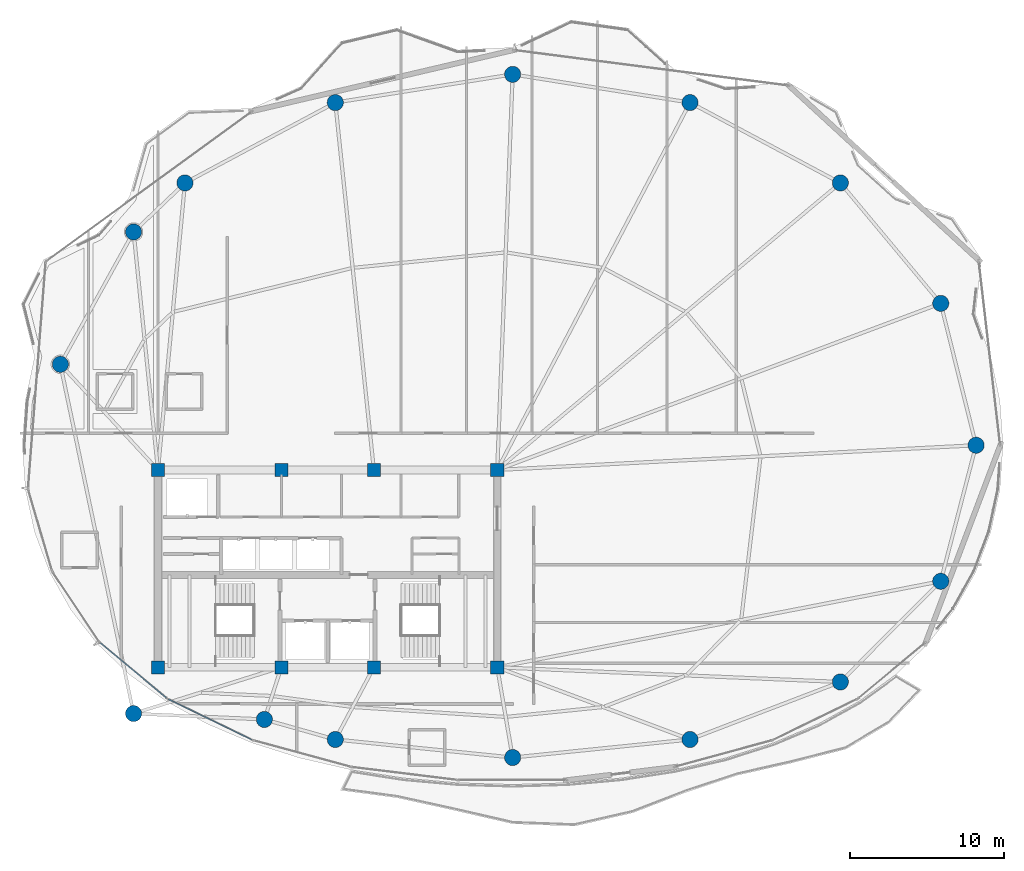
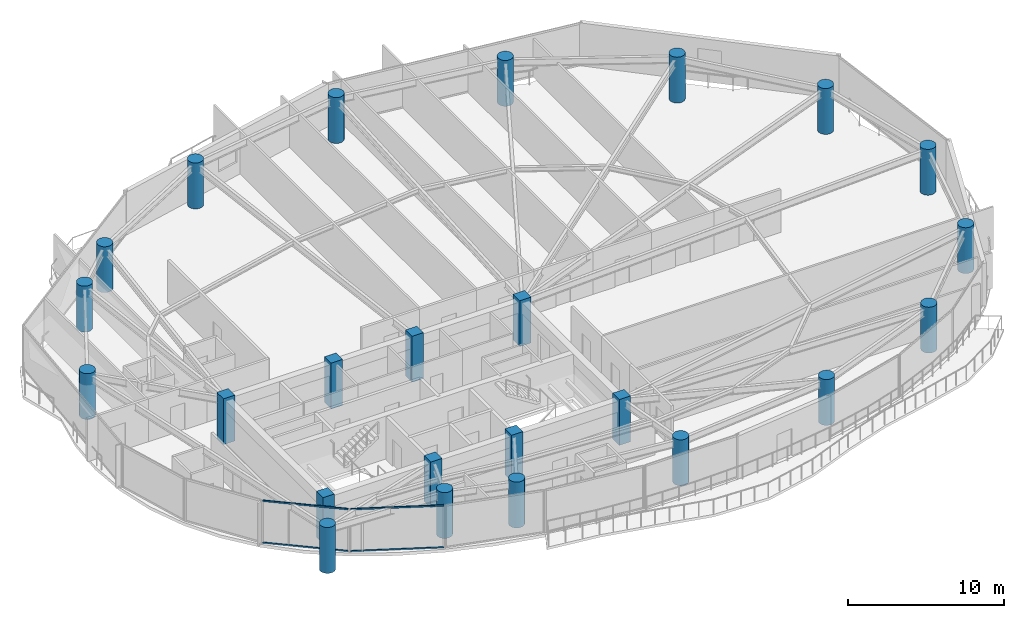
# One storey, part 1 of 31: 24 columns, 4 members, 2 elements without a shape of their own.
"""IFC4 building model written with IfcOpenShell, lengths in metres."""

import ifcopenshell
import ifcopenshell.guid

model = None  # the IFC model being written
_history = None  # IfcOwnerHistory: only IFC2X3 demands one
_inside = {}  # id of a spatial element -> (the spatial element, [elements in it])
_under = {}  # id of a project, library or spatial element -> (it, [spatial elements below it])
_declared = {}  # id of a project -> (the project, [libraries it declares])
_typed = {}  # id of a type object -> (the type object, [elements of that type])
_made_of = {}  # id of a material, layer set ... -> (it, [elements and type objects made of it])


def new_model(schema):
    """Start an empty IFC model of exactly this schema.

    Asked for "IFC4X3", IfcOpenShell would pick the latest addendum, in which some entities
    have other attributes; the version numbers below select the first issue.
    IFC2X3 requires an IfcOwnerHistory on every rooted entity: one is made here for all.
    """
    global model, _history
    if schema == "IFC4X3":
        model = ifcopenshell.file(schema_version=(4, 3, 0, 0))
    else:
        model = ifcopenshell.file(schema=schema)
    _inside.clear()
    _under.clear()
    _declared.clear()
    _typed.clear()
    _made_of.clear()
    _history = None
    if model.schema == "IFC2X3":
        org = make("IfcOrganization", Name="unknown")
        user = make(
            "IfcPersonAndOrganization",
            ThePerson=make("IfcPerson", FamilyName="unknown"),
            TheOrganization=org,
        )
        app = make(
            "IfcApplication",
            ApplicationDeveloper=org,
            Version="unknown",
            ApplicationFullName="unknown",
            ApplicationIdentifier="unknown",
        )
        _history = make(
            "IfcOwnerHistory",
            OwningUser=user,
            OwningApplication=app,
            ChangeAction="ADDED",
            CreationDate=0,
        )
    return model


def make(cls, **values):
    """One entity of the class cls with the attributes given. An attribute that is None is left unset."""
    return model.create_entity(
        cls, **{name: value for name, value in values.items() if value is not None}
    )


def rooted(cls, **values):
    """An entity with a GlobalId (a new one), such as an element, a storey or a relation."""
    return make(cls, GlobalId=ifcopenshell.guid.new(), OwnerHistory=_history, **values)


def si_unit(unit_type, name, prefix=None):
    """IfcSIUnit, for example si_unit("LENGTHUNIT", "METRE", prefix="MILLI")."""
    return make("IfcSIUnit", UnitType=unit_type, Prefix=prefix, Name=name)


def assignment(units):
    """IfcUnitAssignment: the units of a project."""
    return None if units is None else make("IfcUnitAssignment", Units=units)


def point(xyz):
    """IfcCartesianPoint."""
    return None if xyz is None else make("IfcCartesianPoint", Coordinates=xyz)


def direction(xyz):
    """IfcDirection."""
    return None if xyz is None else make("IfcDirection", DirectionRatios=xyz)


def frame(location, z_axis=None, x_axis=None):
    """IfcAxis2Placement3D, a coordinate frame: its origin and axes. An axis left out is left unset."""
    return make(
        "IfcAxis2Placement3D",
        Location=point(location),
        Axis=direction(z_axis),
        RefDirection=direction(x_axis),
    )


def frame_2d(location, x_axis=None):
    """IfcAxis2Placement2D, a coordinate frame in the plane: its origin and x axis."""
    return make(
        "IfcAxis2Placement2D", Location=point(location), RefDirection=direction(x_axis)
    )


def origin():
    """The frame at (0, 0, 0) with its axes left unset."""
    return frame((0.0, 0.0, 0.0))


def origin_2d():
    """The frame at (0, 0) in the plane with its x axis left unset."""
    return frame_2d((0.0, 0.0))


def place(relative_to, where):
    """IfcLocalPlacement: puts the frame where relative to a parent placement (None: the world)."""
    return make(
        "IfcLocalPlacement", PlacementRelTo=relative_to, RelativePlacement=where
    )


def context(
    kind, dimensions, precision=None, world=None, true_north=None, identifier=None
):
    """IfcGeometricRepresentationContext, for example the 3D "Model" context."""
    return make(
        "IfcGeometricRepresentationContext",
        ContextIdentifier=identifier,
        ContextType=kind,
        CoordinateSpaceDimension=dimensions,
        Precision=precision,
        WorldCoordinateSystem=world,
        TrueNorth=true_north,
    )


def subcontext(parent, identifier, kind, view, scale=None):
    """IfcGeometricRepresentationSubContext, for example "Body" below "Model"."""
    return make(
        "IfcGeometricRepresentationSubContext",
        ContextIdentifier=identifier,
        ContextType=kind,
        ParentContext=parent,
        TargetScale=scale,
        TargetView=view,
    )


def project(units=None, contexts=None):
    """IfcProject with its units and contexts."""
    return rooted(
        "IfcProject",
        Name="project",
        RepresentationContexts=contexts,
        UnitsInContext=assignment(units),
    )


def spatial(cls, under=None, at=None, **own):
    """A site, building, storey or space (cls), placed at a placement, below another one or the project."""
    s = rooted(cls, ObjectPlacement=at, **own)
    if under is not None:
        _under.setdefault(under.id(), (under, []))[1].append(s)
    return s


def profile(cls, at=None, kind="AREA", **sizes):
    """A parametric profile (cls). Its sizes go by their IFC names, for example OverallWidth=200.0."""
    return make(cls, ProfileType=kind, Position=at, **sizes)


def rectangle(**sizes):
    """IfcRectangleProfileDef."""
    return profile("IfcRectangleProfileDef", **sizes)


def hollow_rectangle(**sizes):
    """IfcRectangleHollowProfileDef."""
    return profile("IfcRectangleHollowProfileDef", **sizes)


def circle(**sizes):
    """IfcCircleProfileDef."""
    return profile("IfcCircleProfileDef", **sizes)


def extrude(swept, where, along, depth):
    """IfcExtrudedAreaSolid: the profile swept, set in the frame where, extruded along a direction by depth."""
    return make(
        "IfcExtrudedAreaSolid",
        SweptArea=swept,
        Position=where,
        ExtrudedDirection=direction(along),
        Depth=depth,
    )


def shape(context_of_items, identifier, shape_type, items):
    """IfcShapeRepresentation: the items that make up one representation, for example the "Body"."""
    return make(
        "IfcShapeRepresentation",
        ContextOfItems=context_of_items,
        RepresentationIdentifier=identifier,
        RepresentationType=shape_type,
        Items=items,
    )


def material(Name=None, Category=None):
    """IfcMaterial."""
    return make("IfcMaterial", Name=Name, Category=Category)


def layer(
    of_material, thickness, ventilated=None, Name=None, Category=None, Priority=None
):
    """IfcMaterialLayer: one layer of a wall or slab, of a material (None: an air gap)."""
    return make(
        "IfcMaterialLayer",
        Material=of_material,
        LayerThickness=thickness,
        IsVentilated=ventilated,
        Name=Name,
        Category=Category,
        Priority=Priority,
    )


def layer_set(layers, Name=None):
    """IfcMaterialLayerSet."""
    return make("IfcMaterialLayerSet", MaterialLayers=layers, LayerSetName=Name)


def material_profile(
    of_material, cross_section, Name=None, Category=None, Priority=None
):
    """IfcMaterialProfile: a cross section and its material."""
    return make(
        "IfcMaterialProfile",
        Name=Name,
        Material=of_material,
        Profile=cross_section,
        Priority=Priority,
        Category=Category,
    )


def profile_set(profiles, Name=None, composite=None):
    """IfcMaterialProfileSet."""
    return make(
        "IfcMaterialProfileSet",
        Name=Name,
        MaterialProfiles=profiles,
        CompositeProfile=composite,
    )


def made_of(thing, what):
    """Note that an element or type object is made of a material, layer set ...; save() writes the relation."""
    if what is not None:
        _made_of.setdefault(what.id(), (what, []))[1].append(thing)
    return thing


def type_object(cls, material=None, **own):
    """A type object (cls), such as IfcWallType, which elements share."""
    return made_of(rooted(cls, **own), material)


def element(
    cls,
    number,
    at=None,
    inside=None,
    cuts=None,
    type_object=None,
    material=None,
    context=None,
    identifier="Body",
    shape_type=None,
    held_by="IfcProductDefinitionShape",
    body=None,
    shapes=None,
    **own,
):
    """One element of the class cls, such as IfcWall. Its Tag is "e" and its number.

    at: its placement. inside: the storey or other place that contains it. cuts: it is an
    opening in that element (IfcRelVoidsElement). A single representation is given by context,
    identifier, shape_type and body (its items); several are given by shapes. held_by: the class
    of the entity that holds the representations. save() writes the other relations.
    """
    e = rooted(cls, Tag="e%d" % number, ObjectPlacement=at, **own)
    if body is not None:
        shapes = [shape(context, identifier, shape_type, body)]
    if shapes is not None:
        e.Representation = make(held_by, Representations=shapes)
    if inside is not None:
        _inside.setdefault(inside.id(), (inside, []))[1].append(e)
    if cuts is not None:
        rooted(
            "IfcRelVoidsElement", RelatingBuildingElement=cuts, RelatedOpeningElement=e
        )
    if type_object is not None:
        _typed.setdefault(type_object.id(), (type_object, []))[1].append(e)
    return made_of(e, material)


def aggregate(whole, parts):
    """IfcRelAggregates: a whole, such as a stair, and the parts it consists of."""
    return rooted("IfcRelAggregates", RelatingObject=whole, RelatedObjects=parts)


def save(model, path):
    """Write the relations noted so far, then the file.

    IfcRelAggregates (storeys below a building ...), IfcRelContainedInSpatialStructure (elements
    in a storey), IfcRelDefinesByType, IfcRelAssociatesMaterial and IfcRelDeclares: one each for
    every whole, place, type object, material and project.
    """
    for whole, parts in _under.values():
        aggregate(whole, parts)
    for where, things in _inside.values():
        rooted(
            "IfcRelContainedInSpatialStructure",
            RelatedElements=things,
            RelatingStructure=where,
        )
    for kind, things in _typed.values():
        rooted("IfcRelDefinesByType", RelatedObjects=things, RelatingType=kind)
    for what, things in _made_of.values():
        rooted("IfcRelAssociatesMaterial", RelatedObjects=things, RelatingMaterial=what)
    for by, libraries in _declared.values():
        rooted("IfcRelDeclares", RelatingContext=by, RelatedDefinitions=libraries)
    model.write(path)


model = new_model("IFC4")

# Units and contexts
model_context = context("Model", 3, precision=1e-05, world=origin(), true_north=direction((0.0, 1.0)))
body_context = subcontext(model_context, "Body", "Model", "MODEL_VIEW")
ifc_project = project(units=[si_unit("LENGTHUNIT", "METRE"), si_unit("AREAUNIT", "SQUARE_METRE"), si_unit("VOLUMEUNIT", "CUBIC_METRE"), si_unit("PLANEANGLEUNIT", "RADIAN"), si_unit("MASSUNIT", "GRAM", prefix="KILO")], contexts=[model_context])

# Site, building, storey
site_placement = place(None, origin())
site = spatial("IfcSite", under=ifc_project, at=site_placement, CompositionType="ELEMENT")
building_placement = place(site_placement, origin())
building = spatial("IfcBuilding", under=site, at=building_placement, Name="Kazevale Care Tower and Concert Hall", CompositionType="ELEMENT")
storey_placement = place(building_placement, frame((0.0, 0.0, 220.800048828125)))
storey = spatial("IfcBuildingStorey", under=building, at=storey_placement, Name="L58", CompositionType="ELEMENT", Elevation=220.800048828125)

# Columns
ifc_material_1 = material(Name="Concrete C50", Category="concrete")
ifc_material_profile_1 = material_profile(ifc_material_1, rectangle(XDim=0.85009765625, YDim=0.85009765625, at=origin_2d()), Name="RC-SQ850")
ifc_profile_set_1 = profile_set([ifc_material_profile_1], Name="Concrete C50")
column_type_1 = type_object("IfcColumnType", Name="Core Column SQ850 C50", PredefinedType="COLUMN", material=ifc_profile_set_1)
for number, where, z_axis, x_axis, name in (
    (1, (22.0, 23.60009765625, 0.0), (0.0, 0.0, 1.0), (1.0, 0.0, 0.0), "col:L58:CC-01"),
    (2, (30.0, 23.60009765625, 0.0), (0.0, 0.0, 1.0), (1.0, 0.0, 0.0), "col:L58:CC-02"),
    (3, (36.0, 23.60009765625, 0.0), (0.0, 0.0, 1.0), (1.0, 0.0, 0.0), "col:L58:CC-03"),
    (4, (44.0, 23.60009765625, 0.0), (0.0, 0.0, 1.0), (1.0, 0.0, 0.0), "col:L58:CC-04"),
    (5, (44.0, 36.39990234375, 0.0), (0.0, 0.0, 1.0), (1.0, 0.0, 0.0), "col:L58:CC-05"),
    (6, (36.0, 36.39990234375, 0.0), (0.0, 0.0, 1.0), (1.0, 0.0, 0.0), "col:L58:CC-06"),
    (7, (30.0, 36.39990234375, 0.0), (0.0, 0.0, 1.0), (1.0, 0.0, 0.0), "col:L58:CC-07"),
    (8, (22.0, 36.39990234375, 0.0), (0.0, 0.0, 1.0), (1.0, 0.0, 0.0), "col:L58:CC-08"),
):
    element("IfcColumn", number, at=place(storey_placement, frame(where, z_axis=z_axis, x_axis=x_axis)), inside=storey, type_object=column_type_1, Name=name, PredefinedType="COLUMN", context=body_context, shape_type="SweptSolid", body=[
        extrude(rectangle(XDim=0.85009765625, YDim=0.85009765625, at=origin_2d()), origin(), (0.0, 0.0, 1.0), 3.599853515625),
    ])
ifc_material_profile_2 = material_profile(ifc_material_1, circle(Radius=0.52490234375, at=origin_2d()), Name="RC-CIR1050")
ifc_profile_set_2 = profile_set([ifc_material_profile_2], Name="Concrete C50")
column_type_2 = type_object("IfcColumnType", Name="Perimeter Column CIR1050 C50", PredefinedType="COLUMN", material=ifc_profile_set_2)
for number, where, z_axis, x_axis, name in (
    (9, (75.050048828125, 38.0, 0.0), (0.0, 0.0, 1.0), (1.0, 0.0, 0.0), "col:L58:PC-01"),
    (10, (72.760009765625, 47.199951171875, 0.0), (0.0, 0.0, 1.0), (1.0, 0.0, 0.0), "col:L58:PC-02"),
    (11, (66.25, 55.010009765625, 0.0), (0.0, 0.0, 1.0), (1.0, 0.0, 0.0), "col:L58:PC-03"),
    (12, (56.5, 60.219970703125, 0.0), (0.0, 0.0, 1.0), (1.0, 0.0, 0.0), "col:L58:PC-04"),
    (13, (45.0, 62.050048828125, 0.0), (0.0, 0.0, 1.0), (1.0, 0.0, 0.0), "col:L58:PC-05"),
    (14, (33.5, 60.219970703125, 0.0), (0.0, 0.0, 1.0), (1.0, 0.0, 0.0), "col:L58:PC-06"),
    (15, (23.75, 55.010009765625, 0.0), (0.0, 0.0, 1.0), (1.0, 0.0, 0.0), "col:L58:PC-07"),
    (16, (20.419921875, 51.830078125, 0.0), (0.0, 0.0, 1.0), (1.0, 0.0, 0.0), "col:L58:PC-08"),
    (17, (15.669921875, 43.25, 0.0), (0.0, 0.0, 1.0), (1.0, 0.0, 0.0), "col:L58:PC-09"),
    (18, (20.419921875, 20.60009765625, 0.0), (0.0, 0.0, 1.0), (1.0, 0.0, 0.0), "col:L58:PC-10"),
    (19, (28.89990234375, 20.219970703125, 0.0), (0.0, 0.0, 1.0), (1.0, 0.0, 0.0), "col:L58:PC-11"),
    (20, (33.5, 18.919921875, 0.0), (0.0, 0.0, 1.0), (1.0, 0.0, 0.0), "col:L58:PC-12"),
    (21, (45.0, 17.75, 0.0), (0.0, 0.0, 1.0), (1.0, 0.0, 0.0), "col:L58:PC-13"),
    (22, (56.5, 18.919921875, 0.0), (0.0, 0.0, 1.0), (1.0, 0.0, 0.0), "col:L58:PC-14"),
    (23, (66.25, 22.64990234375, 0.0), (0.0, 0.0, 1.0), (1.0, 0.0, 0.0), "col:L58:PC-15"),
    (24, (72.760009765625, 29.179931640625, 0.0), (0.0, 0.0, 1.0), (1.0, 0.0, 0.0), "col:L58:PC-16"),
):
    element("IfcColumn", number, at=place(storey_placement, frame(where, z_axis=z_axis, x_axis=x_axis)), inside=storey, type_object=column_type_2, Name=name, PredefinedType="COLUMN", context=body_context, shape_type="SweptSolid", body=[
        extrude(circle(Radius=0.52490234375, at=origin_2d()), origin(), (0.0, 0.0, 1.0), 3.599853515625),
    ])

# Curtain wall, members
ifc_material_2 = material(Name="Aluminium 6063-T6 and Low-E Glass", Category="aluminium")
ifc_layer = layer(ifc_material_2, 0.179931640625)
ifc_layer_set = layer_set([ifc_layer], Name="Aluminium 6063-T6 and Low-E Glass")
curtain_wall_type = type_object("IfcCurtainWallType", Name="Sheltered Concave Balcony Curtain Wall CW-5", PredefinedType="NOTDEFINED", material=ifc_layer_set)
curtain_wall_1_placement = place(storey_placement, origin())
curtain_wall_1 = element("IfcCurtainWall", 25, at=curtain_wall_1_placement, inside=storey, type_object=curtain_wall_type, Name="cw:L58:f09", PredefinedType="NOTDEFINED")
ifc_material_3 = material(Name="Aluminium 6063-T6", Category="aluminium")
ifc_material_profile_3 = material_profile(ifc_material_3, hollow_rectangle(XDim=0.074951171875, YDim=0.1201171875, WallThickness=0.00390625, at=origin_2d()), Name="ALU75x120x4")
ifc_profile_set_3 = profile_set([ifc_material_profile_3], Name="Aluminium 6063-T6")
member_type = type_object("IfcMemberType", Name="CW-5 Transom ALU75x120x4", PredefinedType="USERDEFINED", material=ifc_profile_set_3)
member_1_placement = place(storey_placement, frame((28.07666015625, 18.90576171875, 0.037353515625), z_axis=(-0.899342308406, 0.437245254189, 0.0), x_axis=(-0.437245254189, -0.899342308406, 0.0)))
member_1 = element("IfcMember", 26, at=member_1_placement, type_object=member_type, Name="CW-5 transom 1.1", ObjectType="TRANSOM", PredefinedType="USERDEFINED", context=body_context, shape_type="SweptSolid", body=[
    extrude(hollow_rectangle(XDim=0.074951171875, YDim=0.1201171875, WallThickness=0.00390625, at=origin_2d()), origin(), (0.0, 0.0, 1.0), 6.00244140625),
])
member_2_placement = place(storey_placement, frame((28.07666015625, 18.90576171875, 3.322509765625), z_axis=(-0.899342308406, 0.437245254189, 0.0), x_axis=(-0.437245254189, -0.899342308406, 0.0)))
member_2 = element("IfcMember", 27, at=member_2_placement, type_object=member_type, Name="CW-5 transom 1.2", ObjectType="TRANSOM", PredefinedType="USERDEFINED", context=body_context, shape_type="SweptSolid", body=[
    extrude(hollow_rectangle(XDim=0.074951171875, YDim=0.1201171875, WallThickness=0.00390625, at=origin_2d()), origin(), (0.0, 0.0, 1.0), 6.00244140625),
])
aggregate(curtain_wall_1, [member_1, member_2])

curtain_wall_2_placement = place(storey_placement, origin())
curtain_wall_2 = element("IfcCurtainWall", 28, at=curtain_wall_2_placement, inside=storey, type_object=curtain_wall_type, Name="cw:L58:f10", PredefinedType="NOTDEFINED")
member_3_placement = place(storey_placement, frame((22.553466796875, 21.611083984375, 0.037353515625), z_axis=(-0.768432829708, 0.639930454211, 0.0), x_axis=(-0.639930454211, -0.768432829708, 0.0)))
member_3 = element("IfcMember", 29, at=member_3_placement, type_object=member_type, Name="CW-5 transom 1.1", ObjectType="TRANSOM", PredefinedType="USERDEFINED", context=body_context, shape_type="SweptSolid", body=[
    extrude(hollow_rectangle(XDim=0.074951171875, YDim=0.1201171875, WallThickness=0.00390625, at=origin_2d()), origin(), (0.0, 0.0, 1.0), 5.580078125),
])
member_4_placement = place(storey_placement, frame((22.553466796875, 21.611083984375, 3.322509765625), z_axis=(-0.768432829708, 0.639930454211, 0.0), x_axis=(-0.639930454211, -0.768432829708, 0.0)))
member_4 = element("IfcMember", 30, at=member_4_placement, type_object=member_type, Name="CW-5 transom 1.2", ObjectType="TRANSOM", PredefinedType="USERDEFINED", context=body_context, shape_type="SweptSolid", body=[
    extrude(hollow_rectangle(XDim=0.074951171875, YDim=0.1201171875, WallThickness=0.00390625, at=origin_2d()), origin(), (0.0, 0.0, 1.0), 5.580078125),
])
aggregate(curtain_wall_2, [member_3, member_4])

save(model, "model.ifc")
